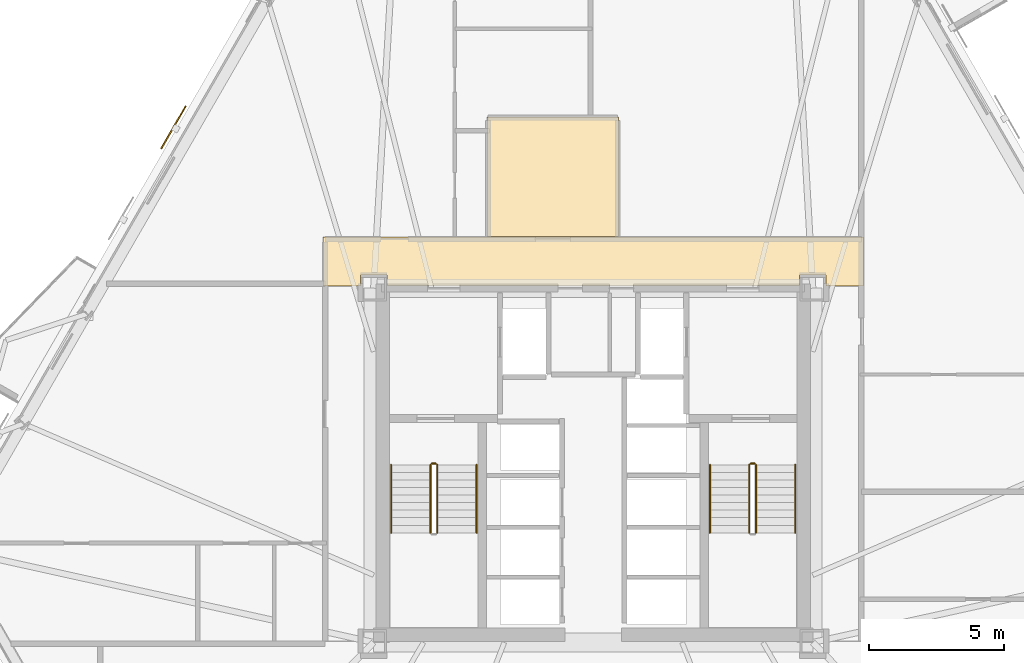
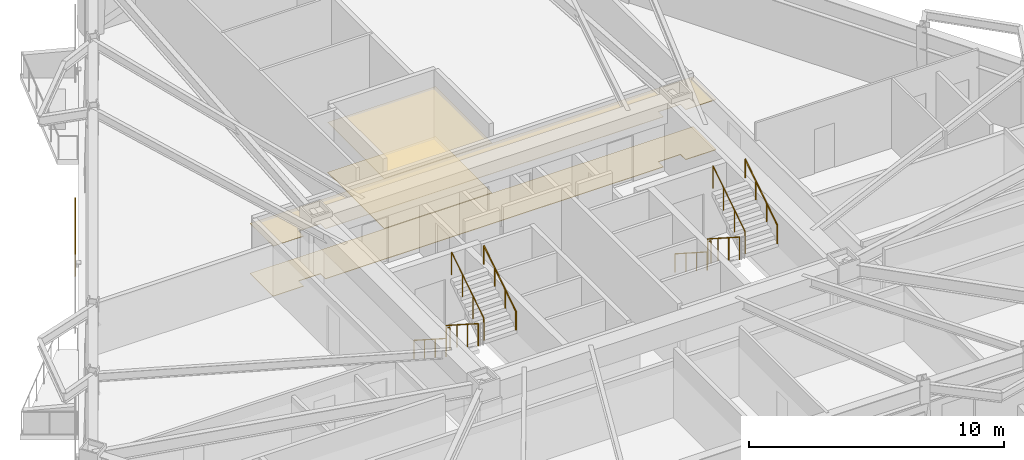
# One storey, part 9 of 10: 10 railings, 4 coverings, 1 shading device.
"""IFC4 building model written with IfcOpenShell, lengths in metres."""

from ifc_helpers import new_model, si_unit, direction, frame, origin, origin_2d, place, context, subcontext, project, spatial, polyline, rectangle, circle, outline, extrude, material, layer, layer_set, type_object, element, save


model = new_model("IFC4")

# Units and contexts
model_context = context("Model", 3, precision=1e-05, world=origin(), true_north=direction((0.0, 1.0)))
body_context = subcontext(model_context, "Body", "Model", "MODEL_VIEW")
ifc_project = project(units=[si_unit("LENGTHUNIT", "METRE"), si_unit("AREAUNIT", "SQUARE_METRE"), si_unit("VOLUMEUNIT", "CUBIC_METRE"), si_unit("PLANEANGLEUNIT", "RADIAN"), si_unit("MASSUNIT", "GRAM", prefix="KILO")], contexts=[model_context])

# Site, building, storey
site_placement = place(None, origin())
site = spatial("IfcSite", under=ifc_project, at=site_placement, CompositionType="ELEMENT")
building_placement = place(site_placement, origin())
building = spatial("IfcBuilding", under=site, at=building_placement, Name="Oramaril Tower", CompositionType="ELEMENT")
storey_placement = place(building_placement, frame((0.0, 0.0, 56.10009765625)))
storey = spatial("IfcBuildingStorey", under=building, at=storey_placement, Name="L14", CompositionType="ELEMENT", Elevation=56.10009765625)

# Coverings
ifc_material_1 = material(Name="Mineral Fibre Acoustic Ceiling")
ifc_layer_1 = layer(ifc_material_1, 0.02001953125)
ifc_layer_set_1 = layer_set([ifc_layer_1], Name="CVT-CEIL")
covering_type_1 = type_object("IfcCoveringType", Name="CVT-CEIL", PredefinedType="CEILING", material=ifc_layer_set_1)
covering_1_placement = place(storey_placement, frame((0.0, 0.0, 2.39990234375)))
element("IfcCovering", 1, at=covering_1_placement, inside=storey, type_object=covering_type_1, Name="L14 Acoustic Suspended Ceiling 2", PredefinedType="CEILING", context=body_context, shape_type="SweptSolid", body=[
    extrude(outline(polyline([(47.530029296875, 24.239990234375), (46.14501953125, 24.239990234375), (46.14501953125, 24.64501953125), (45.155029296875, 24.64501953125), (45.155029296875, 24.25), (29.844970703125, 24.25), (29.844970703125, 24.64501953125), (28.85498046875, 24.64501953125), (28.85498046875, 24.239990234375), (27.469970703125, 24.239990234375), (27.469970703125, 26.050048828125), (47.530029296875, 26.050048828125), (47.530029296875, 24.239990234375)])), origin(), (0.0, 0.0, 1.0), 0.02001953125),
])
covering_2_placement = place(storey_placement, frame((0.0, 0.0, 2.39990234375)))
element("IfcCovering", 2, at=covering_2_placement, inside=storey, type_object=covering_type_1, Name="L14 Acoustic Suspended Ceiling 5", PredefinedType="CEILING", context=body_context, shape_type="SweptSolid", body=[
    extrude(outline(polyline([(38.44189453125, 30.511962890625), (38.44189453125, 26.070068359375), (33.55810546875, 26.070068359375), (33.55810546875, 30.511962890625), (38.44189453125, 30.511962890625)])), origin(), (0.0, 0.0, 1.0), 0.02001953125),
])
ifc_material_2 = material(Name="Honed Quartzite Stone Flooring", Category="masonry")
ifc_layer_2 = layer(ifc_material_2, 0.02490234375)
ifc_layer_set_2 = layer_set([ifc_layer_2], Name="CVT-FLR")
covering_type_2 = type_object("IfcCoveringType", Name="CVT-FLR", PredefinedType="FLOORING", material=ifc_layer_set_2)
covering_3_placement = place(storey_placement, origin())
element("IfcCovering", 3, at=covering_3_placement, inside=storey, type_object=covering_type_2, Name="L14 Honed Stone Floor Finish 2", PredefinedType="FLOORING", context=body_context, shape_type="SweptSolid", body=[
    extrude(outline(polyline([(47.530029296875, 24.239990234375), (46.14501953125, 24.239990234375), (46.14501953125, 24.64501953125), (45.155029296875, 24.64501953125), (45.155029296875, 24.25), (29.844970703125, 24.25), (29.844970703125, 24.64501953125), (28.85498046875, 24.64501953125), (28.85498046875, 24.239990234375), (27.469970703125, 24.239990234375), (27.469970703125, 26.050048828125), (47.530029296875, 26.050048828125), (47.530029296875, 24.239990234375)])), origin(), (0.0, 0.0, 1.0), 0.02490234375),
])
covering_4_placement = place(storey_placement, origin())
element("IfcCovering", 4, at=covering_4_placement, inside=storey, type_object=covering_type_2, Name="L14 Honed Stone Floor Finish 5", PredefinedType="FLOORING", context=body_context, shape_type="SweptSolid", body=[
    extrude(outline(polyline([(38.44189453125, 30.511962890625), (38.44189453125, 26.070068359375), (33.55810546875, 26.070068359375), (33.55810546875, 30.511962890625), (38.44189453125, 30.511962890625)])), origin(), (0.0, 0.0, 1.0), 0.02490234375),
])

# Railings
ifc_material_3 = material(Name="Stainless Steel 316L", Category="steel")
railing_type_1 = type_object("IfcRailingType", Name="RLT-GRD", PredefinedType="GUARDRAIL", material=ifc_material_3)
railing_1_placement = place(storey_placement, frame((31.4599609375, 17.590087890625, 0.179931640625)))
element("IfcRailing", 5, at=railing_1_placement, inside=storey, type_object=railing_type_1, Name="L14 ST-1 stair guard 1", PredefinedType="GUARDRAIL", context=body_context, shape_type="SweptSolid", body=[
    extrude(circle(Radius=0.02392578125, at=origin_2d()), frame((0.0, 0.0, 1.076171875), z_axis=(0.0, -0.841199657755, 0.540724639528), x_axis=(1.0, 0.0, 0.0)), (0.0, 0.0, 1.0), 2.995849609375),
    extrude(circle(Radius=0.02099609375, at=origin_2d()), origin(), (0.0, 0.0, 1.0), 1.052001953125),
    extrude(circle(Radius=0.02099609375, at=origin_2d()), frame((0.0, -0.840087890625, 0.5400390625)), (0.0, 0.0, 1.0), 1.052001953125),
    extrude(circle(Radius=0.02099609375, at=origin_2d()), frame((0.0, -1.679931640625, 1.079833984375)), (0.0, 0.0, 1.0), 1.052001953125),
    extrude(circle(Radius=0.02099609375, at=origin_2d()), frame((0.0, -2.52001953125, 1.619873046875)), (0.0, 0.0, 1.0), 1.052001953125),
])
railing_2_placement = place(storey_placement, frame((31.7099609375, 15.070068359375, 1.97998046875)))
element("IfcRailing", 6, at=railing_2_placement, inside=storey, type_object=railing_type_1, Name="L14 ST-1 stair guard 3", PredefinedType="GUARDRAIL", context=body_context, shape_type="SweptSolid", body=[
    extrude(circle(Radius=0.02392578125, at=origin_2d()), frame((0.0, 0.0, 1.076171875), z_axis=(0.0, 0.841199657755, 0.540724639528), x_axis=(-1.0, 0.0, 0.0)), (0.0, 0.0, 1.0), 2.995849609375),
    extrude(circle(Radius=0.02099609375, at=origin_2d()), origin(), (0.0, 0.0, 1.0), 1.052001953125),
    extrude(circle(Radius=0.02099609375, at=origin_2d()), frame((0.0, 0.840087890625, 0.5400390625)), (0.0, 0.0, 1.0), 1.052001953125),
    extrude(circle(Radius=0.02099609375, at=origin_2d()), frame((0.0, 1.679931640625, 1.079833984375)), (0.0, 0.0, 1.0), 1.052001953125),
    extrude(circle(Radius=0.02099609375, at=origin_2d()), frame((0.0, 2.52001953125, 1.619873046875)), (0.0, 0.0, 1.0), 1.052001953125),
])
railing_3_placement = place(storey_placement, frame((31.510009765625, 17.639892578125, 0.0)))
element("IfcRailing", 7, at=railing_3_placement, inside=storey, type_object=railing_type_1, Name="L14 ST-1 stair guard 4", PredefinedType="GUARDRAIL", context=body_context, shape_type="SweptSolid", body=[
    extrude(circle(Radius=0.02392578125, at=origin_2d()), frame((0.0, 0.0, 1.076171875), z_axis=(1.0, 0.0, 0.0), x_axis=(0.0, 1.0, 0.0)), (0.0, 0.0, 1.0), 0.14990234375),
    extrude(circle(Radius=0.02099609375, at=origin_2d()), origin(), (0.0, 0.0, 1.0), 1.052001953125),
    extrude(circle(Radius=0.02099609375, at=origin_2d()), frame((0.14990234375, 0.0, 0.0)), (0.0, 0.0, 1.0), 1.052001953125),
])
railing_4_placement = place(storey_placement, frame((43.2900390625, 17.590087890625, 0.179931640625)))
element("IfcRailing", 8, at=railing_4_placement, inside=storey, type_object=railing_type_1, Name="L14 ST-2 stair guard 1", PredefinedType="GUARDRAIL", context=body_context, shape_type="SweptSolid", body=[
    extrude(circle(Radius=0.02392578125, at=origin_2d()), frame((0.0, 0.0, 1.076171875), z_axis=(0.0, -0.841199657755, 0.540724639528), x_axis=(1.0, 0.0, 0.0)), (0.0, 0.0, 1.0), 2.995849609375),
    extrude(circle(Radius=0.02099609375, at=origin_2d()), origin(), (0.0, 0.0, 1.0), 1.052001953125),
    extrude(circle(Radius=0.02099609375, at=origin_2d()), frame((0.0, -0.840087890625, 0.5400390625)), (0.0, 0.0, 1.0), 1.052001953125),
    extrude(circle(Radius=0.02099609375, at=origin_2d()), frame((0.0, -1.679931640625, 1.079833984375)), (0.0, 0.0, 1.0), 1.052001953125),
    extrude(circle(Radius=0.02099609375, at=origin_2d()), frame((0.0, -2.52001953125, 1.619873046875)), (0.0, 0.0, 1.0), 1.052001953125),
])
railing_5_placement = place(storey_placement, frame((43.5400390625, 15.070068359375, 1.97998046875)))
element("IfcRailing", 9, at=railing_5_placement, inside=storey, type_object=railing_type_1, Name="L14 ST-2 stair guard 3", PredefinedType="GUARDRAIL", context=body_context, shape_type="SweptSolid", body=[
    extrude(circle(Radius=0.02392578125, at=origin_2d()), frame((0.0, 0.0, 1.076171875), z_axis=(0.0, 0.841199657755, 0.540724639528), x_axis=(-1.0, 0.0, 0.0)), (0.0, 0.0, 1.0), 2.995849609375),
    extrude(circle(Radius=0.02099609375, at=origin_2d()), origin(), (0.0, 0.0, 1.0), 1.052001953125),
    extrude(circle(Radius=0.02099609375, at=origin_2d()), frame((0.0, 0.840087890625, 0.5400390625)), (0.0, 0.0, 1.0), 1.052001953125),
    extrude(circle(Radius=0.02099609375, at=origin_2d()), frame((0.0, 1.679931640625, 1.079833984375)), (0.0, 0.0, 1.0), 1.052001953125),
    extrude(circle(Radius=0.02099609375, at=origin_2d()), frame((0.0, 2.52001953125, 1.619873046875)), (0.0, 0.0, 1.0), 1.052001953125),
])
railing_6_placement = place(storey_placement, frame((43.340087890625, 17.639892578125, 0.0)))
element("IfcRailing", 10, at=railing_6_placement, inside=storey, type_object=railing_type_1, Name="L14 ST-2 stair guard 4", PredefinedType="GUARDRAIL", context=body_context, shape_type="SweptSolid", body=[
    extrude(circle(Radius=0.02392578125, at=origin_2d()), frame((0.0, 0.0, 1.076171875), z_axis=(1.0, 0.0, 0.0), x_axis=(0.0, 1.0, 0.0)), (0.0, 0.0, 1.0), 0.14990234375),
    extrude(circle(Radius=0.02099609375, at=origin_2d()), origin(), (0.0, 0.0, 1.0), 1.052001953125),
    extrude(circle(Radius=0.02099609375, at=origin_2d()), frame((0.14990234375, 0.0, 0.0)), (0.0, 0.0, 1.0), 1.052001953125),
])
ifc_material_4 = material(Name="Stainless Steel 316L", Category="steel")
railing_type_2 = type_object("IfcRailingType", Name="RLT-HND", PredefinedType="HANDRAIL", material=ifc_material_4)
railing_7_placement = place(storey_placement, frame((30.0, 17.590087890625, 0.179931640625)))
element("IfcRailing", 11, at=railing_7_placement, inside=storey, type_object=railing_type_2, Name="L14 ST-1 stair handrail 1", PredefinedType="HANDRAIL", context=body_context, shape_type="SweptSolid", body=[
    extrude(circle(Radius=0.02392578125, at=origin_2d()), frame((0.0, 0.0, 0.8759765625), z_axis=(0.0, -0.841199657755, 0.540724639528), x_axis=(1.0, 0.0, 0.0)), (0.0, 0.0, 1.0), 2.995849609375),
    extrude(circle(Radius=0.02099609375, at=origin_2d()), origin(), (0.0, 0.0, 1.0), 0.851806640625),
    extrude(circle(Radius=0.02099609375, at=origin_2d()), frame((0.0, -0.840087890625, 0.5400390625)), (0.0, 0.0, 1.0), 0.851806640625),
    extrude(circle(Radius=0.02099609375, at=origin_2d()), frame((0.0, -1.679931640625, 1.079833984375)), (0.0, 0.0, 1.0), 0.851806640625),
    extrude(circle(Radius=0.02099609375, at=origin_2d()), frame((0.0, -2.52001953125, 1.619873046875)), (0.0, 0.0, 1.0), 0.851806640625),
])
railing_8_placement = place(storey_placement, frame((33.169921875, 15.070068359375, 1.97998046875)))
element("IfcRailing", 12, at=railing_8_placement, inside=storey, type_object=railing_type_2, Name="L14 ST-1 stair handrail 2", PredefinedType="HANDRAIL", context=body_context, shape_type="SweptSolid", body=[
    extrude(circle(Radius=0.02392578125, at=origin_2d()), frame((0.0, 0.0, 0.8759765625), z_axis=(0.0, 0.841199657755, 0.540724639528), x_axis=(-1.0, 0.0, 0.0)), (0.0, 0.0, 1.0), 2.995849609375),
    extrude(circle(Radius=0.02099609375, at=origin_2d()), origin(), (0.0, 0.0, 1.0), 0.851806640625),
    extrude(circle(Radius=0.02099609375, at=origin_2d()), frame((0.0, 0.840087890625, 0.5400390625)), (0.0, 0.0, 1.0), 0.851806640625),
    extrude(circle(Radius=0.02099609375, at=origin_2d()), frame((0.0, 1.679931640625, 1.079833984375)), (0.0, 0.0, 1.0), 0.851806640625),
    extrude(circle(Radius=0.02099609375, at=origin_2d()), frame((0.0, 2.52001953125, 1.619873046875)), (0.0, 0.0, 1.0), 0.851806640625),
])
railing_9_placement = place(storey_placement, frame((41.830078125, 17.590087890625, 0.179931640625)))
element("IfcRailing", 13, at=railing_9_placement, inside=storey, type_object=railing_type_2, Name="L14 ST-2 stair handrail 1", PredefinedType="HANDRAIL", context=body_context, shape_type="SweptSolid", body=[
    extrude(circle(Radius=0.02392578125, at=origin_2d()), frame((0.0, 0.0, 0.8759765625), z_axis=(0.0, -0.841199657755, 0.540724639528), x_axis=(1.0, 0.0, 0.0)), (0.0, 0.0, 1.0), 2.995849609375),
    extrude(circle(Radius=0.02099609375, at=origin_2d()), origin(), (0.0, 0.0, 1.0), 0.851806640625),
    extrude(circle(Radius=0.02099609375, at=origin_2d()), frame((0.0, -0.840087890625, 0.5400390625)), (0.0, 0.0, 1.0), 0.851806640625),
    extrude(circle(Radius=0.02099609375, at=origin_2d()), frame((0.0, -1.679931640625, 1.079833984375)), (0.0, 0.0, 1.0), 0.851806640625),
    extrude(circle(Radius=0.02099609375, at=origin_2d()), frame((0.0, -2.52001953125, 1.619873046875)), (0.0, 0.0, 1.0), 0.851806640625),
])
railing_10_placement = place(storey_placement, frame((45.0, 15.070068359375, 1.97998046875)))
element("IfcRailing", 14, at=railing_10_placement, inside=storey, type_object=railing_type_2, Name="L14 ST-2 stair handrail 2", PredefinedType="HANDRAIL", context=body_context, shape_type="SweptSolid", body=[
    extrude(circle(Radius=0.02392578125, at=origin_2d()), frame((0.0, 0.0, 0.8759765625), z_axis=(0.0, 0.841199657755, 0.540724639528), x_axis=(-1.0, 0.0, 0.0)), (0.0, 0.0, 1.0), 2.995849609375),
    extrude(circle(Radius=0.02099609375, at=origin_2d()), origin(), (0.0, 0.0, 1.0), 0.851806640625),
    extrude(circle(Radius=0.02099609375, at=origin_2d()), frame((0.0, 0.840087890625, 0.5400390625)), (0.0, 0.0, 1.0), 0.851806640625),
    extrude(circle(Radius=0.02099609375, at=origin_2d()), frame((0.0, 1.679931640625, 1.079833984375)), (0.0, 0.0, 1.0), 0.851806640625),
    extrude(circle(Radius=0.02099609375, at=origin_2d()), frame((0.0, 2.52001953125, 1.619873046875)), (0.0, 0.0, 1.0), 0.851806640625),
])

# Shading device
shading_device_placement = place(storey_placement, frame((21.92041015625, 30.123046875, -0.02001953125), z_axis=(0.0, 0.0, 1.0), x_axis=(-0.4999984885, -0.866026276448, 0.0)))
element("IfcShadingDevice", 15, at=shading_device_placement, inside=storey, Name="L14 Perforated Ceramic Solar Screen", ObjectType="SCREEN", PredefinedType="USERDEFINED", context=body_context, shape_type="SweptSolid", body=[
    extrude(rectangle(XDim=1.8330078125, YDim=0.050048828125, at=origin_2d()), origin(), (0.0, 0.0, 1.0), 2.493896484375),
])

save(model, "model.ifc")
